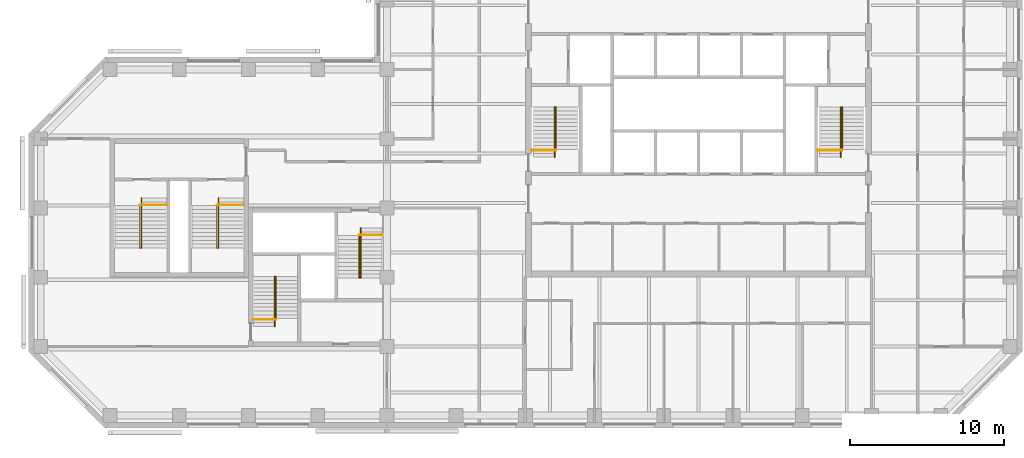
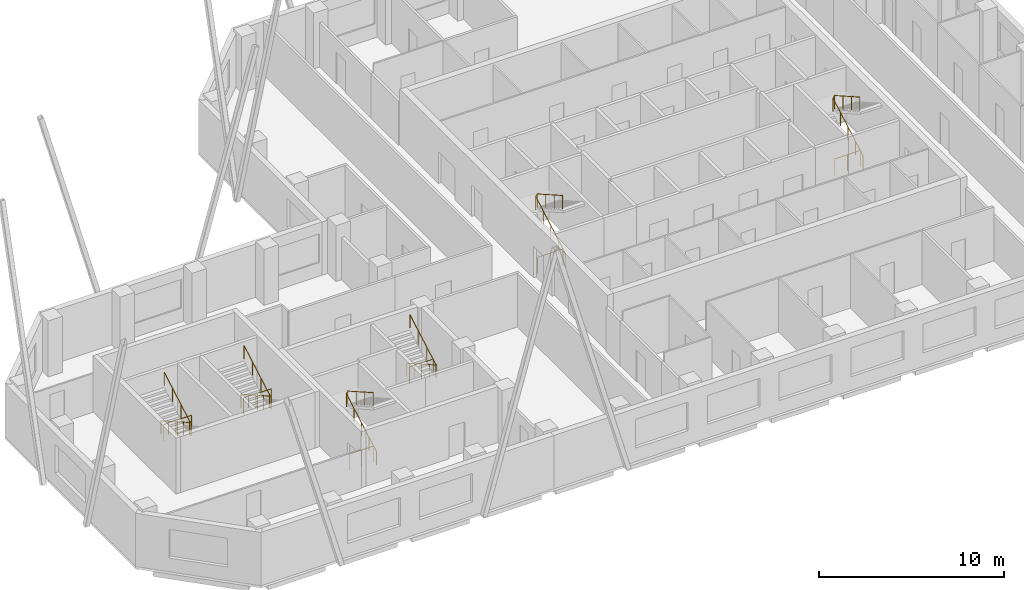
# One storey, part 9 of 9: 12 railings.
"""IFC4 building model written with IfcOpenShell, lengths in metres."""

from ifc_helpers import new_model, si_unit, direction, frame, origin, origin_2d, place, context, subcontext, project, spatial, circle, extrude, material, type_object, element, save


model = new_model("IFC4")

# Units and contexts
model_context = context("Model", 3, precision=1e-05, world=origin(), true_north=direction((0.0, 1.0)))
body_context = subcontext(model_context, "Body", "Model", "MODEL_VIEW")
ifc_project = project(units=[si_unit("LENGTHUNIT", "METRE"), si_unit("AREAUNIT", "SQUARE_METRE"), si_unit("VOLUMEUNIT", "CUBIC_METRE"), si_unit("PLANEANGLEUNIT", "RADIAN"), si_unit("MASSUNIT", "GRAM", prefix="KILO")], contexts=[model_context])

# Site, building, storey
site_placement = place(None, origin())
site = spatial("IfcSite", under=ifc_project, at=site_placement, CompositionType="ELEMENT")
building_placement = place(site_placement, origin())
building = spatial("IfcBuilding", under=site, at=building_placement, Name="Quoin Convention Tower", CompositionType="ELEMENT")
storey_placement = place(building_placement, frame((0.0, 0.0, 203.199951171875)))
storey = spatial("IfcBuildingStorey", under=building, at=storey_placement, Name="L53", CompositionType="ELEMENT", Elevation=203.199951171875)

# Railings
ifc_material = material(Name="Stainless steel", Category="steel")
railing_type_1 = type_object("IfcRailingType", Name="Stair handrail 900", PredefinedType="HANDRAIL", material=ifc_material)
railing_1_placement = place(storey_placement, frame((46.905029296875, 57.300048828125, 0.142333984375)))
element("IfcRailing", 1, at=railing_1_placement, inside=storey, type_object=railing_type_1, Name="SD1 handrail 1", PredefinedType="HANDRAIL", context=body_context, shape_type="SweptSolid", body=[
    extrude(circle(Radius=0.02392578125, at=origin_2d()), frame((0.0, 0.0, 0.8759765625), z_axis=(0.0, 0.869053504361, 0.494718108177), x_axis=(-1.0, 0.0, 0.0)), (0.0, 0.0, 1.0), 3.73974609375),
    extrude(circle(Radius=0.02392578125, at=origin_2d()), frame((0.0, 3.25, 2.72607421875), z_axis=(0.53481069233, 0.0, 0.844971906852), x_axis=(0.0, 1.0, 0.0)), (0.0, 0.0, 1.0), 0.16845703125),
    extrude(circle(Radius=0.02392578125, at=origin_2d()), frame((0.090087890625, 3.25, 2.8681640625), z_axis=(0.0, -0.869091777644, 0.494650868828), x_axis=(1.0, 0.0, 0.0)), (0.0, 0.0, 1.0), 3.164306640625),
    extrude(circle(Radius=0.02099609375, at=origin_2d()), origin(), (0.0, 0.0, 1.0), 0.851806640625),
    extrude(circle(Radius=0.02099609375, at=origin_2d()), frame((0.0, 0.8125, 0.46240234375)), (0.0, 0.0, 1.0), 0.851806640625),
    extrude(circle(Radius=0.02099609375, at=origin_2d()), frame((0.0, 1.625, 0.925048828125)), (0.0, 0.0, 1.0), 0.851806640625),
    extrude(circle(Radius=0.02099609375, at=origin_2d()), frame((0.0, 2.4375, 1.3876953125)), (0.0, 0.0, 1.0), 0.851806640625),
    extrude(circle(Radius=0.02099609375, at=origin_2d()), frame((0.0, 3.25, 1.85009765625)), (0.0, 0.0, 1.0), 0.851806640625),
    extrude(circle(Radius=0.02099609375, at=origin_2d()), frame((0.090087890625, 3.25, 1.992431640625)), (0.0, 0.0, 1.0), 0.851806640625),
    extrude(circle(Radius=0.02099609375, at=origin_2d()), frame((0.090087890625, 2.333251953125, 2.51416015625)), (0.0, 0.0, 1.0), 0.851806640625),
    extrude(circle(Radius=0.02099609375, at=origin_2d()), frame((0.090087890625, 1.416748046875, 3.035888671875)), (0.0, 0.0, 1.0), 0.851806640625),
    extrude(circle(Radius=0.02099609375, at=origin_2d()), frame((0.090087890625, 0.5, 3.5576171875)), (0.0, 0.0, 1.0), 0.851806640625),
])
railing_2_placement = place(storey_placement, frame((65.5048828125, 57.300048828125, 0.142333984375)))
element("IfcRailing", 2, at=railing_2_placement, inside=storey, type_object=railing_type_1, Name="SD2 handrail 1", PredefinedType="HANDRAIL", context=body_context, shape_type="SweptSolid", body=[
    extrude(circle(Radius=0.02392578125, at=origin_2d()), frame((0.0, 0.0, 0.8759765625), z_axis=(0.0, 0.869053504361, 0.494718108177), x_axis=(-1.0, 0.0, 0.0)), (0.0, 0.0, 1.0), 3.73974609375),
    extrude(circle(Radius=0.02392578125, at=origin_2d()), frame((0.0, 3.25, 2.72607421875), z_axis=(0.53481069233, 0.0, 0.844971906852), x_axis=(0.0, 1.0, 0.0)), (0.0, 0.0, 1.0), 0.16845703125),
    extrude(circle(Radius=0.02392578125, at=origin_2d()), frame((0.090087890625, 3.25, 2.8681640625), z_axis=(0.0, -0.869091777644, 0.494650868828), x_axis=(1.0, 0.0, 0.0)), (0.0, 0.0, 1.0), 3.164306640625),
    extrude(circle(Radius=0.02099609375, at=origin_2d()), origin(), (0.0, 0.0, 1.0), 0.851806640625),
    extrude(circle(Radius=0.02099609375, at=origin_2d()), frame((0.0, 0.8125, 0.46240234375)), (0.0, 0.0, 1.0), 0.851806640625),
    extrude(circle(Radius=0.02099609375, at=origin_2d()), frame((0.0, 1.625, 0.925048828125)), (0.0, 0.0, 1.0), 0.851806640625),
    extrude(circle(Radius=0.02099609375, at=origin_2d()), frame((0.0, 2.4375, 1.3876953125)), (0.0, 0.0, 1.0), 0.851806640625),
    extrude(circle(Radius=0.02099609375, at=origin_2d()), frame((0.0, 3.25, 1.85009765625)), (0.0, 0.0, 1.0), 0.851806640625),
    extrude(circle(Radius=0.02099609375, at=origin_2d()), frame((0.090087890625, 3.25, 1.992431640625)), (0.0, 0.0, 1.0), 0.851806640625),
    extrude(circle(Radius=0.02099609375, at=origin_2d()), frame((0.090087890625, 2.333251953125, 2.51416015625)), (0.0, 0.0, 1.0), 0.851806640625),
    extrude(circle(Radius=0.02099609375, at=origin_2d()), frame((0.090087890625, 1.416748046875, 3.035888671875)), (0.0, 0.0, 1.0), 0.851806640625),
    extrude(circle(Radius=0.02099609375, at=origin_2d()), frame((0.090087890625, 0.5, 3.5576171875)), (0.0, 0.0, 1.0), 0.851806640625),
])
railing_3_placement = place(storey_placement, frame((28.705078125, 46.300048828125, 0.142333984375)))
element("IfcRailing", 3, at=railing_3_placement, inside=storey, type_object=railing_type_1, Name="SD3 handrail 1", PredefinedType="HANDRAIL", context=body_context, shape_type="SweptSolid", body=[
    extrude(circle(Radius=0.02392578125, at=origin_2d()), frame((0.0, 0.0, 0.8759765625), z_axis=(0.0, 0.869053504361, 0.494718108177), x_axis=(-1.0, 0.0, 0.0)), (0.0, 0.0, 1.0), 3.73974609375),
    extrude(circle(Radius=0.02392578125, at=origin_2d()), frame((0.0, 3.25, 2.72607421875), z_axis=(0.533774684331, 0.0, 0.845626741753), x_axis=(0.0, 1.0, 0.0)), (0.0, 0.0, 1.0), 0.168212890625),
    extrude(circle(Radius=0.02392578125, at=origin_2d()), frame((0.08984375, 3.25, 2.8681640625), z_axis=(0.0, -0.869091777644, 0.494650868828), x_axis=(1.0, 0.0, 0.0)), (0.0, 0.0, 1.0), 3.164306640625),
    extrude(circle(Radius=0.02099609375, at=origin_2d()), origin(), (0.0, 0.0, 1.0), 0.851806640625),
    extrude(circle(Radius=0.02099609375, at=origin_2d()), frame((0.0, 0.8125, 0.46240234375)), (0.0, 0.0, 1.0), 0.851806640625),
    extrude(circle(Radius=0.02099609375, at=origin_2d()), frame((0.0, 1.625, 0.925048828125)), (0.0, 0.0, 1.0), 0.851806640625),
    extrude(circle(Radius=0.02099609375, at=origin_2d()), frame((0.0, 2.4375, 1.3876953125)), (0.0, 0.0, 1.0), 0.851806640625),
    extrude(circle(Radius=0.02099609375, at=origin_2d()), frame((0.0, 3.25, 1.85009765625)), (0.0, 0.0, 1.0), 0.851806640625),
    extrude(circle(Radius=0.02099609375, at=origin_2d()), frame((0.08984375, 3.25, 1.992431640625)), (0.0, 0.0, 1.0), 0.851806640625),
    extrude(circle(Radius=0.02099609375, at=origin_2d()), frame((0.08984375, 2.333251953125, 2.51416015625)), (0.0, 0.0, 1.0), 0.851806640625),
    extrude(circle(Radius=0.02099609375, at=origin_2d()), frame((0.08984375, 1.416748046875, 3.035888671875)), (0.0, 0.0, 1.0), 0.851806640625),
    extrude(circle(Radius=0.02099609375, at=origin_2d()), frame((0.08984375, 0.5, 3.5576171875)), (0.0, 0.0, 1.0), 0.851806640625),
])
railing_4_placement = place(storey_placement, frame((34.294921875, 52.699951171875, 0.142333984375)))
element("IfcRailing", 4, at=railing_4_placement, inside=storey, type_object=railing_type_1, Name="SD4 handrail 1", PredefinedType="HANDRAIL", context=body_context, shape_type="SweptSolid", body=[
    extrude(circle(Radius=0.02392578125, at=origin_2d()), frame((0.0, 0.0, 0.8759765625), z_axis=(0.0, -0.869053504361, 0.494718108177), x_axis=(1.0, 0.0, 0.0)), (0.0, 0.0, 1.0), 3.73974609375),
    extrude(circle(Radius=0.02392578125, at=origin_2d()), frame((0.0, -3.25, 2.72607421875), z_axis=(-0.533774684331, 0.0, 0.845626741753), x_axis=(0.0, -1.0, 0.0)), (0.0, 0.0, 1.0), 0.168212890625),
    extrude(circle(Radius=0.02392578125, at=origin_2d()), frame((-0.08984375, -3.25, 2.8681640625), z_axis=(0.0, 0.869091777644, 0.494650868828), x_axis=(-1.0, 0.0, 0.0)), (0.0, 0.0, 1.0), 3.164306640625),
    extrude(circle(Radius=0.02099609375, at=origin_2d()), origin(), (0.0, 0.0, 1.0), 0.851806640625),
    extrude(circle(Radius=0.02099609375, at=origin_2d()), frame((0.0, -0.8125, 0.46240234375)), (0.0, 0.0, 1.0), 0.851806640625),
    extrude(circle(Radius=0.02099609375, at=origin_2d()), frame((0.0, -1.625, 0.925048828125)), (0.0, 0.0, 1.0), 0.851806640625),
    extrude(circle(Radius=0.02099609375, at=origin_2d()), frame((0.0, -2.4375, 1.3876953125)), (0.0, 0.0, 1.0), 0.851806640625),
    extrude(circle(Radius=0.02099609375, at=origin_2d()), frame((0.0, -3.25, 1.85009765625)), (0.0, 0.0, 1.0), 0.851806640625),
    extrude(circle(Radius=0.02099609375, at=origin_2d()), frame((-0.08984375, -3.25, 1.992431640625)), (0.0, 0.0, 1.0), 0.851806640625),
    extrude(circle(Radius=0.02099609375, at=origin_2d()), frame((-0.08984375, -2.333251953125, 2.51416015625)), (0.0, 0.0, 1.0), 0.851806640625),
    extrude(circle(Radius=0.02099609375, at=origin_2d()), frame((-0.08984375, -1.416748046875, 3.035888671875)), (0.0, 0.0, 1.0), 0.851806640625),
    extrude(circle(Radius=0.02099609375, at=origin_2d()), frame((-0.08984375, -0.5, 3.5576171875)), (0.0, 0.0, 1.0), 0.851806640625),
])
railing_5_placement = place(storey_placement, frame((20.044921875, 54.64990234375, 0.142333984375)))
element("IfcRailing", 5, at=railing_5_placement, inside=storey, type_object=railing_type_1, Name="SD11 handrail 1", PredefinedType="HANDRAIL", context=body_context, shape_type="SweptSolid", body=[
    extrude(circle(Radius=0.02392578125, at=origin_2d()), frame((0.0, 0.0, 0.8759765625), z_axis=(0.0, -0.869053504361, 0.494718108177), x_axis=(1.0, 0.0, 0.0)), (0.0, 0.0, 1.0), 3.73974609375),
    extrude(circle(Radius=0.02392578125, at=origin_2d()), frame((0.0, -3.25, 2.72607421875), z_axis=(-0.533774684331, 0.0, 0.845626741753), x_axis=(0.0, -1.0, 0.0)), (0.0, 0.0, 1.0), 0.168212890625),
    extrude(circle(Radius=0.02392578125, at=origin_2d()), frame((-0.08984375, -3.25, 2.8681640625), z_axis=(0.0, 0.869091777644, 0.494650868828), x_axis=(-1.0, 0.0, 0.0)), (0.0, 0.0, 1.0), 3.164306640625),
    extrude(circle(Radius=0.02099609375, at=origin_2d()), origin(), (0.0, 0.0, 1.0), 0.851806640625),
    extrude(circle(Radius=0.02099609375, at=origin_2d()), frame((0.0, -0.8125, 0.46240234375)), (0.0, 0.0, 1.0), 0.851806640625),
    extrude(circle(Radius=0.02099609375, at=origin_2d()), frame((0.0, -1.625, 0.925048828125)), (0.0, 0.0, 1.0), 0.851806640625),
    extrude(circle(Radius=0.02099609375, at=origin_2d()), frame((0.0, -2.4375, 1.3876953125)), (0.0, 0.0, 1.0), 0.851806640625),
    extrude(circle(Radius=0.02099609375, at=origin_2d()), frame((0.0, -3.25, 1.85009765625)), (0.0, 0.0, 1.0), 0.851806640625),
    extrude(circle(Radius=0.02099609375, at=origin_2d()), frame((-0.08984375, -3.25, 1.992431640625)), (0.0, 0.0, 1.0), 0.851806640625),
    extrude(circle(Radius=0.02099609375, at=origin_2d()), frame((-0.08984375, -2.333251953125, 2.51416015625)), (0.0, 0.0, 1.0), 0.851806640625),
    extrude(circle(Radius=0.02099609375, at=origin_2d()), frame((-0.08984375, -1.416748046875, 3.035888671875)), (0.0, 0.0, 1.0), 0.851806640625),
    extrude(circle(Radius=0.02099609375, at=origin_2d()), frame((-0.08984375, -0.5, 3.5576171875)), (0.0, 0.0, 1.0), 0.851806640625),
])
railing_6_placement = place(storey_placement, frame((25.044921875, 54.64990234375, 0.142333984375)))
element("IfcRailing", 6, at=railing_6_placement, inside=storey, type_object=railing_type_1, Name="SD12 handrail 1", PredefinedType="HANDRAIL", context=body_context, shape_type="SweptSolid", body=[
    extrude(circle(Radius=0.02392578125, at=origin_2d()), frame((0.0, 0.0, 0.8759765625), z_axis=(0.0, -0.869053504361, 0.494718108177), x_axis=(1.0, 0.0, 0.0)), (0.0, 0.0, 1.0), 3.73974609375),
    extrude(circle(Radius=0.02392578125, at=origin_2d()), frame((0.0, -3.25, 2.72607421875), z_axis=(-0.533774684331, 0.0, 0.845626741753), x_axis=(0.0, -1.0, 0.0)), (0.0, 0.0, 1.0), 0.168212890625),
    extrude(circle(Radius=0.02392578125, at=origin_2d()), frame((-0.08984375, -3.25, 2.8681640625), z_axis=(0.0, 0.869091777644, 0.494650868828), x_axis=(-1.0, 0.0, 0.0)), (0.0, 0.0, 1.0), 3.164306640625),
    extrude(circle(Radius=0.02099609375, at=origin_2d()), origin(), (0.0, 0.0, 1.0), 0.851806640625),
    extrude(circle(Radius=0.02099609375, at=origin_2d()), frame((0.0, -0.8125, 0.46240234375)), (0.0, 0.0, 1.0), 0.851806640625),
    extrude(circle(Radius=0.02099609375, at=origin_2d()), frame((0.0, -1.625, 0.925048828125)), (0.0, 0.0, 1.0), 0.851806640625),
    extrude(circle(Radius=0.02099609375, at=origin_2d()), frame((0.0, -2.4375, 1.3876953125)), (0.0, 0.0, 1.0), 0.851806640625),
    extrude(circle(Radius=0.02099609375, at=origin_2d()), frame((0.0, -3.25, 1.85009765625)), (0.0, 0.0, 1.0), 0.851806640625),
    extrude(circle(Radius=0.02099609375, at=origin_2d()), frame((-0.08984375, -3.25, 1.992431640625)), (0.0, 0.0, 1.0), 0.851806640625),
    extrude(circle(Radius=0.02099609375, at=origin_2d()), frame((-0.08984375, -2.333251953125, 2.51416015625)), (0.0, 0.0, 1.0), 0.851806640625),
    extrude(circle(Radius=0.02099609375, at=origin_2d()), frame((-0.08984375, -1.416748046875, 3.035888671875)), (0.0, 0.0, 1.0), 0.851806640625),
    extrude(circle(Radius=0.02099609375, at=origin_2d()), frame((-0.08984375, -0.5, 3.5576171875)), (0.0, 0.0, 1.0), 0.851806640625),
])
railing_type_2 = type_object("IfcRailingType", Name="Stair top guard 1100", PredefinedType="GUARDRAIL", material=ifc_material)
railing_7_placement = place(storey_placement, frame((45.39990234375, 57.75, 0.0)))
element("IfcRailing", 7, at=railing_7_placement, inside=storey, type_object=railing_type_2, Name="SD1 top guard", PredefinedType="GUARDRAIL", context=body_context, shape_type="SweptSolid", body=[
    extrude(circle(Radius=0.02392578125, at=origin_2d()), frame((0.0, 0.0, 1.076171875), z_axis=(1.0, 0.0, 0.0), x_axis=(0.0, 1.0, 0.0)), (0.0, 0.0, 1.0), 1.59521484375),
    extrude(circle(Radius=0.02099609375, at=origin_2d()), origin(), (0.0, 0.0, 1.0), 1.052001953125),
    extrude(circle(Radius=0.02099609375, at=origin_2d()), frame((0.797607421875, 0.0, 0.0)), (0.0, 0.0, 1.0), 1.052001953125),
    extrude(circle(Radius=0.02099609375, at=origin_2d()), frame((1.59521484375, 0.0, 0.0)), (0.0, 0.0, 1.0), 1.052001953125),
])
railing_8_placement = place(storey_placement, frame((64.0, 57.75, 0.0)))
element("IfcRailing", 8, at=railing_8_placement, inside=storey, type_object=railing_type_2, Name="SD2 top guard", PredefinedType="GUARDRAIL", context=body_context, shape_type="SweptSolid", body=[
    extrude(circle(Radius=0.02392578125, at=origin_2d()), frame((0.0, 0.0, 1.076171875), z_axis=(1.0, 0.0, 0.0), x_axis=(0.0, 1.0, 0.0)), (0.0, 0.0, 1.0), 1.594970703125),
    extrude(circle(Radius=0.02099609375, at=origin_2d()), origin(), (0.0, 0.0, 1.0), 1.052001953125),
    extrude(circle(Radius=0.02099609375, at=origin_2d()), frame((0.79736328125, 0.0, 0.0)), (0.0, 0.0, 1.0), 1.052001953125),
    extrude(circle(Radius=0.02099609375, at=origin_2d()), frame((1.594970703125, 0.0, 0.0)), (0.0, 0.0, 1.0), 1.052001953125),
])
railing_9_placement = place(storey_placement, frame((27.300048828125, 46.75, 0.0)))
element("IfcRailing", 9, at=railing_9_placement, inside=storey, type_object=railing_type_2, Name="SD3 top guard", PredefinedType="GUARDRAIL", context=body_context, shape_type="SweptSolid", body=[
    extrude(circle(Radius=0.02392578125, at=origin_2d()), frame((0.0, 0.0, 1.076171875), z_axis=(1.0, 0.0, 0.0), x_axis=(0.0, 1.0, 0.0)), (0.0, 0.0, 1.0), 1.494873046875),
    extrude(circle(Radius=0.02099609375, at=origin_2d()), origin(), (0.0, 0.0, 1.0), 1.052001953125),
    extrude(circle(Radius=0.02099609375, at=origin_2d()), frame((0.74755859375, 0.0, 0.0)), (0.0, 0.0, 1.0), 1.052001953125),
    extrude(circle(Radius=0.02099609375, at=origin_2d()), frame((1.494873046875, 0.0, 0.0)), (0.0, 0.0, 1.0), 1.052001953125),
])
railing_10_placement = place(storey_placement, frame((35.699951171875, 52.25, 0.0)))
element("IfcRailing", 10, at=railing_10_placement, inside=storey, type_object=railing_type_2, Name="SD4 top guard", PredefinedType="GUARDRAIL", context=body_context, shape_type="SweptSolid", body=[
    extrude(circle(Radius=0.02392578125, at=origin_2d()), frame((0.0, 0.0, 1.076171875), z_axis=(-1.0, 0.0, 0.0), x_axis=(0.0, -1.0, 0.0)), (0.0, 0.0, 1.0), 1.494873046875),
    extrude(circle(Radius=0.02099609375, at=origin_2d()), origin(), (0.0, 0.0, 1.0), 1.052001953125),
    extrude(circle(Radius=0.02099609375, at=origin_2d()), frame((-0.74755859375, 0.0, 0.0)), (0.0, 0.0, 1.0), 1.052001953125),
    extrude(circle(Radius=0.02099609375, at=origin_2d()), frame((-1.494873046875, 0.0, 0.0)), (0.0, 0.0, 1.0), 1.052001953125),
])
for number, where, name in (
    (11, (21.699951171875, 54.199951171875, 0.0), "SD11 top guard"),
    (12, (26.699951171875, 54.199951171875, 0.0), "SD12 top guard"),
):
    element("IfcRailing", number, at=place(storey_placement, frame(where)), inside=storey, type_object=railing_type_2, Name=name, PredefinedType="GUARDRAIL", context=body_context, shape_type="SweptSolid", body=[
        extrude(circle(Radius=0.02392578125, at=origin_2d()), frame((0.0, 0.0, 1.076171875), z_axis=(-1.0, 0.0, 0.0), x_axis=(0.0, -1.0, 0.0)), (0.0, 0.0, 1.0), 1.744873046875),
        extrude(circle(Radius=0.02099609375, at=origin_2d()), origin(), (0.0, 0.0, 1.0), 1.052001953125),
        extrude(circle(Radius=0.02099609375, at=origin_2d()), frame((-0.87255859375, 0.0, 0.0)), (0.0, 0.0, 1.0), 1.052001953125),
        extrude(circle(Radius=0.02099609375, at=origin_2d()), frame((-1.744873046875, 0.0, 0.0)), (0.0, 0.0, 1.0), 1.052001953125),
    ])

save(model, "model.ifc")
